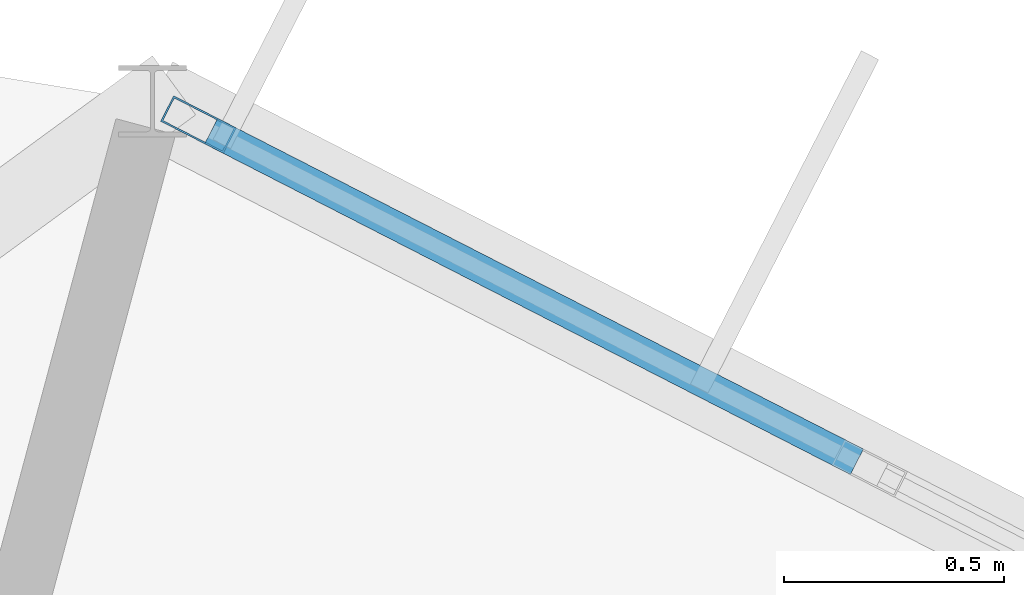
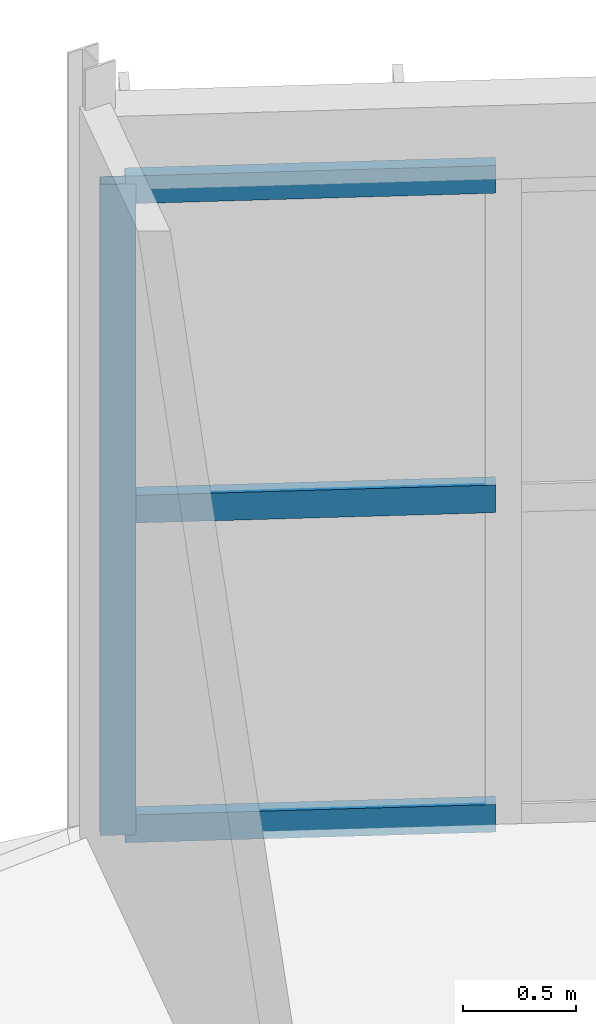
# One storey, part 40 of 66: 4 members, 1 element without a shape of its own.
"""IFC4 building model written with IfcOpenShell, lengths in metres."""

from ifc_helpers import new_model, si_unit, direction, frame, origin, origin_2d, place, context, subcontext, project, spatial, hollow_rectangle, extrude, material, material_profile, profile_set, type_object, element, aggregate, save


model = new_model("IFC4")

# Units and contexts
model_context = context("Model", 3, precision=1e-05, world=origin(), true_north=direction((0.0, 1.0)))
body_context = subcontext(model_context, "Body", "Model", "MODEL_VIEW")
ifc_project = project(units=[si_unit("LENGTHUNIT", "METRE"), si_unit("AREAUNIT", "SQUARE_METRE"), si_unit("VOLUMEUNIT", "CUBIC_METRE"), si_unit("PLANEANGLEUNIT", "RADIAN"), si_unit("MASSUNIT", "GRAM", prefix="KILO")], contexts=[model_context])

# Site, building, storey
site_placement = place(None, origin())
site = spatial("IfcSite", under=ifc_project, at=site_placement, CompositionType="ELEMENT")
building_placement = place(site_placement, origin())
building = spatial("IfcBuilding", under=site, at=building_placement, Name="Karori Crest Natural Sciences Institute", CompositionType="ELEMENT")
storey_placement = place(building_placement, frame((0.0, 0.0, 30.10009765625)))
storey = spatial("IfcBuildingStorey", under=building, at=storey_placement, Name="L07", CompositionType="ELEMENT", Elevation=30.10009765625)

# Curtain wall, members
ifc_material = material(Name="Anodised architectural aluminium 6063-T6", Category="aluminium")
curtain_wall_type = type_object("IfcCurtainWallType", Name="CWT-05", PredefinedType="NOTDEFINED", material=ifc_material)
curtain_wall_placement = place(storey_placement, origin())
curtain_wall = element("IfcCurtainWall", 1, at=curtain_wall_placement, inside=storey, type_object=curtain_wall_type, Name="Curtain wall CW-0249", PredefinedType="NOTDEFINED")
ifc_material_profile_1 = material_profile(ifc_material, hollow_rectangle(XDim=0.06494140625, YDim=0.159912109375, WallThickness=0.00390625, at=origin_2d()), Name="CWM160x65x4")
ifc_profile_set_1 = profile_set([ifc_material_profile_1], Name="Anodised architectural aluminium 6063-T6")
member_type_1 = type_object("IfcMemberType", Name="CWM-01", PredefinedType="MULLION", material=ifc_profile_set_1)
member_1_placement = place(storey_placement, frame((75.045166015625, 89.256591796875, 0.0), z_axis=(0.0, 0.0, 1.0), x_axis=(0.455828878252, 0.890067432138, 0.0)))
member_1 = element("IfcMember", 2, at=member_1_placement, type_object=member_type_1, Name="CW-0249 mullion 1", PredefinedType="MULLION", context=body_context, shape_type="SweptSolid", body=[
    extrude(hollow_rectangle(XDim=0.06494140625, YDim=0.159912109375, WallThickness=0.00390625, at=origin_2d()), origin(), (0.0, 0.0, 1.0), 3.52490234375),
])
ifc_material_profile_2 = material_profile(ifc_material, hollow_rectangle(XDim=0.06494140625, YDim=0.14990234375, WallThickness=0.00390625, at=origin_2d()), Name="CWT150x65x4")
ifc_profile_set_2 = profile_set([ifc_material_profile_2], Name="Anodised architectural aluminium 6063-T6")
member_type_2 = type_object("IfcMemberType", Name="CWT-TR2", PredefinedType="USERDEFINED", material=ifc_profile_set_2)
member_2_placement = place(storey_placement, frame((75.073974609375, 89.24169921875, 0.032470703125), z_axis=(0.890084461025, -0.455795625518, 0.0), x_axis=(0.455795625518, 0.890084461025, 0.0)))
member_2 = element("IfcMember", 3, at=member_2_placement, type_object=member_type_2, Name="CW-0249 transom 1.1", ObjectType="TRANSOM", PredefinedType="USERDEFINED", context=body_context, shape_type="SweptSolid", body=[
    extrude(hollow_rectangle(XDim=0.06494140625, YDim=0.14990234375, WallThickness=0.00390625, at=origin_2d()), origin(), (0.0, 0.0, 1.0), 1.64599609375),
])
member_3_placement = place(storey_placement, frame((75.073974609375, 89.24169921875, 1.762451171875), z_axis=(0.890084461025, -0.455795625518, 0.0), x_axis=(0.455795625518, 0.890084461025, 0.0)))
member_3 = element("IfcMember", 4, at=member_3_placement, type_object=member_type_2, Name="CW-0249 transom 1.2", ObjectType="TRANSOM", PredefinedType="USERDEFINED", context=body_context, shape_type="SweptSolid", body=[
    extrude(hollow_rectangle(XDim=0.06494140625, YDim=0.14990234375, WallThickness=0.00390625, at=origin_2d()), origin(), (0.0, 0.0, 1.0), 1.64599609375),
])
member_4_placement = place(storey_placement, frame((75.073974609375, 89.24169921875, 3.492431640625), z_axis=(0.890084461025, -0.455795625518, 0.0), x_axis=(0.455795625518, 0.890084461025, 0.0)))
member_4 = element("IfcMember", 5, at=member_4_placement, type_object=member_type_2, Name="CW-0249 transom 1.3", ObjectType="TRANSOM", PredefinedType="USERDEFINED", context=body_context, shape_type="SweptSolid", body=[
    extrude(hollow_rectangle(XDim=0.06494140625, YDim=0.14990234375, WallThickness=0.00390625, at=origin_2d()), origin(), (0.0, 0.0, 1.0), 1.64599609375),
])
aggregate(curtain_wall, [member_1, member_2, member_3, member_4])

save(model, "model.ifc")
